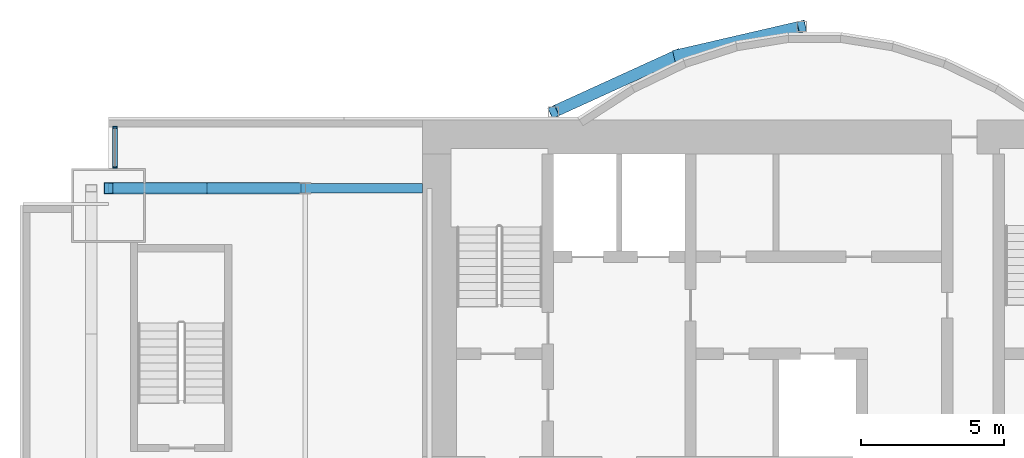
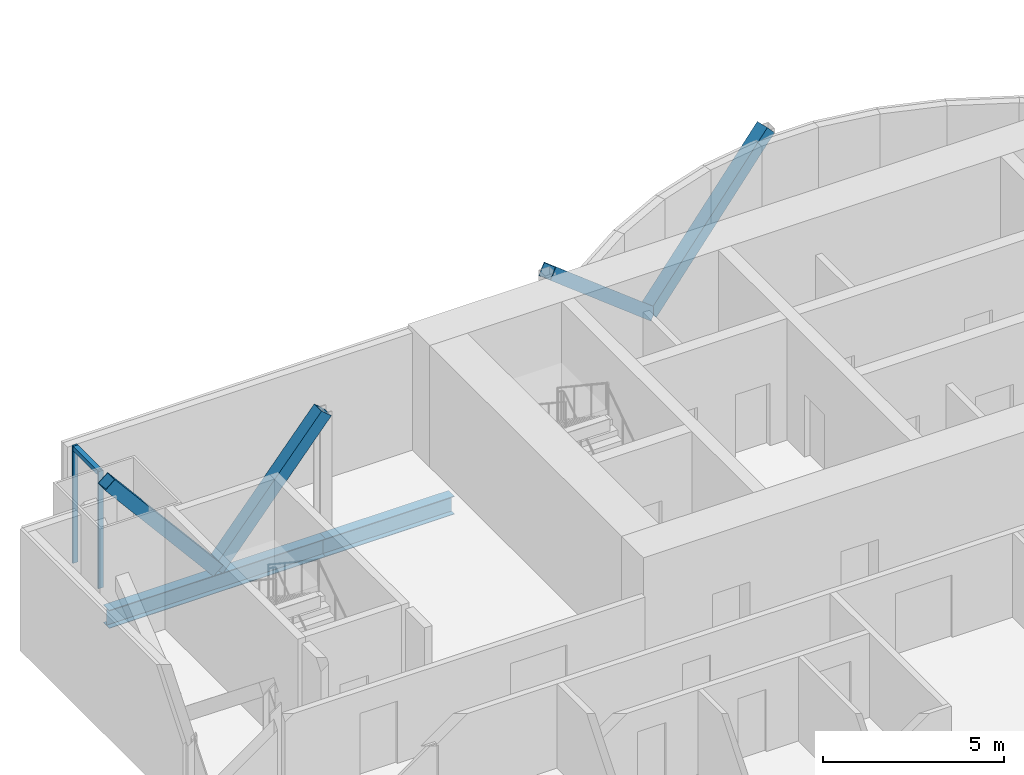
# One storey, part 10 of 20: 7 members, 2 beams, 1 element without a shape of its own.
"""IFC4 building model written with IfcOpenShell, lengths in metres."""

import ifcopenshell
import ifcopenshell.guid

model = None  # the IFC model being written
_history = None  # IfcOwnerHistory: only IFC2X3 demands one
_inside = {}  # id of a spatial element -> (the spatial element, [elements in it])
_under = {}  # id of a project, library or spatial element -> (it, [spatial elements below it])
_declared = {}  # id of a project -> (the project, [libraries it declares])
_typed = {}  # id of a type object -> (the type object, [elements of that type])
_made_of = {}  # id of a material, layer set ... -> (it, [elements and type objects made of it])


def new_model(schema):
    """Start an empty IFC model of exactly this schema.

    Asked for "IFC4X3", IfcOpenShell would pick the latest addendum, in which some entities
    have other attributes; the version numbers below select the first issue.
    IFC2X3 requires an IfcOwnerHistory on every rooted entity: one is made here for all.
    """
    global model, _history
    if schema == "IFC4X3":
        model = ifcopenshell.file(schema_version=(4, 3, 0, 0))
    else:
        model = ifcopenshell.file(schema=schema)
    _inside.clear()
    _under.clear()
    _declared.clear()
    _typed.clear()
    _made_of.clear()
    _history = None
    if model.schema == "IFC2X3":
        org = make("IfcOrganization", Name="unknown")
        user = make(
            "IfcPersonAndOrganization",
            ThePerson=make("IfcPerson", FamilyName="unknown"),
            TheOrganization=org,
        )
        app = make(
            "IfcApplication",
            ApplicationDeveloper=org,
            Version="unknown",
            ApplicationFullName="unknown",
            ApplicationIdentifier="unknown",
        )
        _history = make(
            "IfcOwnerHistory",
            OwningUser=user,
            OwningApplication=app,
            ChangeAction="ADDED",
            CreationDate=0,
        )
    return model


def make(cls, **values):
    """One entity of the class cls with the attributes given. An attribute that is None is left unset."""
    return model.create_entity(
        cls, **{name: value for name, value in values.items() if value is not None}
    )


def rooted(cls, **values):
    """An entity with a GlobalId (a new one), such as an element, a storey or a relation."""
    return make(cls, GlobalId=ifcopenshell.guid.new(), OwnerHistory=_history, **values)


def si_unit(unit_type, name, prefix=None):
    """IfcSIUnit, for example si_unit("LENGTHUNIT", "METRE", prefix="MILLI")."""
    return make("IfcSIUnit", UnitType=unit_type, Prefix=prefix, Name=name)


def assignment(units):
    """IfcUnitAssignment: the units of a project."""
    return None if units is None else make("IfcUnitAssignment", Units=units)


def point(xyz):
    """IfcCartesianPoint."""
    return None if xyz is None else make("IfcCartesianPoint", Coordinates=xyz)


def direction(xyz):
    """IfcDirection."""
    return None if xyz is None else make("IfcDirection", DirectionRatios=xyz)


def frame(location, z_axis=None, x_axis=None):
    """IfcAxis2Placement3D, a coordinate frame: its origin and axes. An axis left out is left unset."""
    return make(
        "IfcAxis2Placement3D",
        Location=point(location),
        Axis=direction(z_axis),
        RefDirection=direction(x_axis),
    )


def frame_2d(location, x_axis=None):
    """IfcAxis2Placement2D, a coordinate frame in the plane: its origin and x axis."""
    return make(
        "IfcAxis2Placement2D", Location=point(location), RefDirection=direction(x_axis)
    )


def origin():
    """The frame at (0, 0, 0) with its axes left unset."""
    return frame((0.0, 0.0, 0.0))


def origin_2d():
    """The frame at (0, 0) in the plane with its x axis left unset."""
    return frame_2d((0.0, 0.0))


def place(relative_to, where):
    """IfcLocalPlacement: puts the frame where relative to a parent placement (None: the world)."""
    return make(
        "IfcLocalPlacement", PlacementRelTo=relative_to, RelativePlacement=where
    )


def context(
    kind, dimensions, precision=None, world=None, true_north=None, identifier=None
):
    """IfcGeometricRepresentationContext, for example the 3D "Model" context."""
    return make(
        "IfcGeometricRepresentationContext",
        ContextIdentifier=identifier,
        ContextType=kind,
        CoordinateSpaceDimension=dimensions,
        Precision=precision,
        WorldCoordinateSystem=world,
        TrueNorth=true_north,
    )


def subcontext(parent, identifier, kind, view, scale=None):
    """IfcGeometricRepresentationSubContext, for example "Body" below "Model"."""
    return make(
        "IfcGeometricRepresentationSubContext",
        ContextIdentifier=identifier,
        ContextType=kind,
        ParentContext=parent,
        TargetScale=scale,
        TargetView=view,
    )


def project(units=None, contexts=None):
    """IfcProject with its units and contexts."""
    return rooted(
        "IfcProject",
        Name="project",
        RepresentationContexts=contexts,
        UnitsInContext=assignment(units),
    )


def spatial(cls, under=None, at=None, **own):
    """A site, building, storey or space (cls), placed at a placement, below another one or the project."""
    s = rooted(cls, ObjectPlacement=at, **own)
    if under is not None:
        _under.setdefault(under.id(), (under, []))[1].append(s)
    return s


def profile(cls, at=None, kind="AREA", **sizes):
    """A parametric profile (cls). Its sizes go by their IFC names, for example OverallWidth=200.0."""
    return make(cls, ProfileType=kind, Position=at, **sizes)


def rectangle(**sizes):
    """IfcRectangleProfileDef."""
    return profile("IfcRectangleProfileDef", **sizes)


def hollow_rectangle(**sizes):
    """IfcRectangleHollowProfileDef."""
    return profile("IfcRectangleHollowProfileDef", **sizes)


def i_section(**sizes):
    """IfcIShapeProfileDef."""
    return profile("IfcIShapeProfileDef", **sizes)


def extrude(swept, where, along, depth):
    """IfcExtrudedAreaSolid: the profile swept, set in the frame where, extruded along a direction by depth."""
    return make(
        "IfcExtrudedAreaSolid",
        SweptArea=swept,
        Position=where,
        ExtrudedDirection=direction(along),
        Depth=depth,
    )


def shape(context_of_items, identifier, shape_type, items):
    """IfcShapeRepresentation: the items that make up one representation, for example the "Body"."""
    return make(
        "IfcShapeRepresentation",
        ContextOfItems=context_of_items,
        RepresentationIdentifier=identifier,
        RepresentationType=shape_type,
        Items=items,
    )


def material(Name=None, Category=None):
    """IfcMaterial."""
    return make("IfcMaterial", Name=Name, Category=Category)


def material_profile(
    of_material, cross_section, Name=None, Category=None, Priority=None
):
    """IfcMaterialProfile: a cross section and its material."""
    return make(
        "IfcMaterialProfile",
        Name=Name,
        Material=of_material,
        Profile=cross_section,
        Priority=Priority,
        Category=Category,
    )


def profile_set(profiles, Name=None, composite=None):
    """IfcMaterialProfileSet."""
    return make(
        "IfcMaterialProfileSet",
        Name=Name,
        MaterialProfiles=profiles,
        CompositeProfile=composite,
    )


def made_of(thing, what):
    """Note that an element or type object is made of a material, layer set ...; save() writes the relation."""
    if what is not None:
        _made_of.setdefault(what.id(), (what, []))[1].append(thing)
    return thing


def type_object(cls, material=None, **own):
    """A type object (cls), such as IfcWallType, which elements share."""
    return made_of(rooted(cls, **own), material)


def element(
    cls,
    number,
    at=None,
    inside=None,
    cuts=None,
    type_object=None,
    material=None,
    context=None,
    identifier="Body",
    shape_type=None,
    held_by="IfcProductDefinitionShape",
    body=None,
    shapes=None,
    **own,
):
    """One element of the class cls, such as IfcWall. Its Tag is "e" and its number.

    at: its placement. inside: the storey or other place that contains it. cuts: it is an
    opening in that element (IfcRelVoidsElement). A single representation is given by context,
    identifier, shape_type and body (its items); several are given by shapes. held_by: the class
    of the entity that holds the representations. save() writes the other relations.
    """
    e = rooted(cls, Tag="e%d" % number, ObjectPlacement=at, **own)
    if body is not None:
        shapes = [shape(context, identifier, shape_type, body)]
    if shapes is not None:
        e.Representation = make(held_by, Representations=shapes)
    if inside is not None:
        _inside.setdefault(inside.id(), (inside, []))[1].append(e)
    if cuts is not None:
        rooted(
            "IfcRelVoidsElement", RelatingBuildingElement=cuts, RelatedOpeningElement=e
        )
    if type_object is not None:
        _typed.setdefault(type_object.id(), (type_object, []))[1].append(e)
    return made_of(e, material)


def aggregate(whole, parts):
    """IfcRelAggregates: a whole, such as a stair, and the parts it consists of."""
    return rooted("IfcRelAggregates", RelatingObject=whole, RelatedObjects=parts)


def save(model, path):
    """Write the relations noted so far, then the file.

    IfcRelAggregates (storeys below a building ...), IfcRelContainedInSpatialStructure (elements
    in a storey), IfcRelDefinesByType, IfcRelAssociatesMaterial and IfcRelDeclares: one each for
    every whole, place, type object, material and project.
    """
    for whole, parts in _under.values():
        aggregate(whole, parts)
    for where, things in _inside.values():
        rooted(
            "IfcRelContainedInSpatialStructure",
            RelatedElements=things,
            RelatingStructure=where,
        )
    for kind, things in _typed.values():
        rooted("IfcRelDefinesByType", RelatedObjects=things, RelatingType=kind)
    for what, things in _made_of.values():
        rooted("IfcRelAssociatesMaterial", RelatedObjects=things, RelatingMaterial=what)
    for by, libraries in _declared.values():
        rooted("IfcRelDeclares", RelatingContext=by, RelatedDefinitions=libraries)
    model.write(path)


model = new_model("IFC4")

# Units and contexts
model_context = context("Model", 3, precision=1e-05, world=origin(), true_north=direction((0.0, 1.0)))
body_context = subcontext(model_context, "Body", "Model", "MODEL_VIEW")
ifc_project = project(units=[si_unit("LENGTHUNIT", "METRE"), si_unit("AREAUNIT", "SQUARE_METRE"), si_unit("VOLUMEUNIT", "CUBIC_METRE"), si_unit("PLANEANGLEUNIT", "RADIAN"), si_unit("MASSUNIT", "GRAM", prefix="KILO")], contexts=[model_context])

# Site, building, storey
site_placement = place(None, origin())
site = spatial("IfcSite", under=ifc_project, at=site_placement, CompositionType="ELEMENT")
building_placement = place(site_placement, origin())
building = spatial("IfcBuilding", under=site, at=building_placement, Name="Bicima Exchange Tower", CompositionType="ELEMENT")
storey_placement = place(building_placement, frame((0.0, 0.0, 207.300048828125)))
storey = spatial("IfcBuildingStorey", under=building, at=storey_placement, Name="L46", CompositionType="ELEMENT", Elevation=207.300048828125)

# Curtain wall, members
ifc_material_1 = material(Name="Anodised bronze aluminium", Category="aluminium")
curtain_wall_type = type_object("IfcCurtainWallType", Name="Front glass wall", PredefinedType="NOTDEFINED", material=ifc_material_1)
curtain_wall_placement = place(storey_placement, origin())
curtain_wall = element("IfcCurtainWall", 1, at=curtain_wall_placement, inside=storey, type_object=curtain_wall_type, Name="Front glass wall L46 run 1", PredefinedType="NOTDEFINED")
ifc_material_profile_1 = material_profile(ifc_material_1, rectangle(XDim=0.159912109375, YDim=0.06005859375, at=origin_2d()))
ifc_profile_set_1 = profile_set([ifc_material_profile_1], Name="Anodised bronze aluminium")
member_type_1 = type_object("IfcMemberType", Name="Front glass wall mullion 60 x 160", PredefinedType="MULLION", material=ifc_profile_set_1)
member_1_placement = place(storey_placement, frame((-32.77001953125, -0.260009765625, 0.0), z_axis=(0.0, 0.0, 1.0), x_axis=(1.0, 0.0, 0.0)))
member_1 = element("IfcMember", 2, at=member_1_placement, type_object=member_type_1, Name="Front glass wall mullion 1", PredefinedType="MULLION", context=body_context, shape_type="SweptSolid", body=[
    extrude(rectangle(XDim=0.159912109375, YDim=0.06005859375, at=origin_2d()), origin(), (0.0, 0.0, 1.0), 3.949951171875),
])
member_2_placement = place(storey_placement, frame((-32.77001953125, -1.669921875, 0.0), z_axis=(0.0, 0.0, 1.0), x_axis=(1.0, 0.0, 0.0)))
member_2 = element("IfcMember", 3, at=member_2_placement, type_object=member_type_1, Name="Front glass wall mullion 2", PredefinedType="MULLION", context=body_context, shape_type="SweptSolid", body=[
    extrude(rectangle(XDim=0.159912109375, YDim=0.06005859375, at=origin_2d()), origin(), (0.0, 0.0, 1.0), 3.949951171875),
])
ifc_material_profile_2 = material_profile(ifc_material_1, rectangle(XDim=0.159912109375, YDim=0.139892578125, at=origin_2d()))
ifc_profile_set_2 = profile_set([ifc_material_profile_2], Name="Anodised bronze aluminium")
member_type_2 = type_object("IfcMemberType", Name="Front glass wall transom 140 x 160", PredefinedType="USERDEFINED", material=ifc_profile_set_2)
member_3_placement = place(storey_placement, frame((-32.77001953125, -0.2900390625, 3.8798828125), z_axis=(0.0, -1.0, 0.0), x_axis=(1.0, 0.0, 0.0)))
member_3 = element("IfcMember", 4, at=member_3_placement, type_object=member_type_2, Name="Front glass wall transom 1.1", ObjectType="TRANSOM", PredefinedType="USERDEFINED", context=body_context, shape_type="SweptSolid", body=[
    extrude(rectangle(XDim=0.159912109375, YDim=0.139892578125, at=origin_2d()), origin(), (0.0, 0.0, 1.0), 1.349853515625),
])
aggregate(curtain_wall, [member_1, member_2, member_3])

# Members
ifc_material_2 = material(Name="Steel ASTM A572 Gr 50", Category="steel")
ifc_material_profile_3 = material_profile(ifc_material_2, hollow_rectangle(XDim=0.406494140625, YDim=0.406494140625, WallThickness=0.0146484375, at=origin_2d()))
ifc_profile_set_3 = profile_set([ifc_material_profile_3], Name="Steel ASTM A572 Gr 50")
member_type_3 = type_object("IfcMemberType", Name="Mega brace HSS16x16x5/8", PredefinedType="BRACE", material=ifc_profile_set_3)
member_4_placement = place(storey_placement, frame((-13.050048828125, 2.262451171875, 0.0), z_axis=(0.717625168184, 0.166055032463, 0.676342993002), x_axis=(-0.225438503722, 0.974257399787, 0.0)))
element("IfcMember", 5, at=member_4_placement, inside=storey, type_object=member_type_3, Name="Mega brace rexo", PredefinedType="BRACE", context=body_context, shape_type="SweptSolid", body=[
    extrude(hollow_rectangle(XDim=0.406494140625, YDim=0.406494140625, WallThickness=0.0146484375, at=origin_2d()), origin(), (0.0, 0.0, 1.0), 6.061767578125),
])
member_5_placement = place(storey_placement, frame((-13.050048828125, 2.262451171875, 0.0), z_axis=(-0.690646390594, -0.3150684101, 0.650952732629), x_axis=(0.415045223819, -0.909800781592, 0.0)))
element("IfcMember", 6, at=member_5_placement, inside=storey, type_object=member_type_3, Name="Mega brace rexo", PredefinedType="BRACE", context=body_context, shape_type="SweptSolid", body=[
    extrude(hollow_rectangle(XDim=0.406494140625, YDim=0.406494140625, WallThickness=0.0146484375, at=origin_2d()), origin(), (0.0, 0.0, 1.0), 6.29833984375),
])
for number, where, z_axis, x_axis, name in (
    (7, (-29.550048828125, -2.39990234375, 0.0), (0.643856488545, 0.0, 0.765146275008), (0.0, 1.0, 0.0), "Mega brace rear"),
    (8, (-29.550048828125, -2.39990234375, 0.0), (-0.643856488545, 0.0, 0.765146275008), (0.0, -1.0, 0.0), "Mega brace rear"),
):
    element("IfcMember", number, at=place(storey_placement, frame(where, z_axis=z_axis, x_axis=x_axis)), inside=storey, type_object=member_type_3, Name=name, PredefinedType="BRACE", context=body_context, shape_type="SweptSolid", body=[
        extrude(hollow_rectangle(XDim=0.406494140625, YDim=0.406494140625, WallThickness=0.0146484375, at=origin_2d()), origin(), (0.0, 0.0, 1.0), 5.358154296875),
    ])

# Beams
ifc_material_3 = material(Name="Steel ASTM A992 Gr 50", Category="steel")
ifc_material_profile_4 = material_profile(ifc_material_3, i_section(OverallWidth=0.3251953125, OverallDepth=0.612060546875, WebThickness=0.0126953125, FlangeThickness=0.01904296875, at=origin_2d()))
ifc_profile_set_4 = profile_set([ifc_material_profile_4], Name="Steel ASTM A992 Gr 50")
beam_type = type_object("IfcBeamType", Name="Rear girder W24x104", PredefinedType="BEAM", material=ifc_profile_set_4)
beam_1_placement = place(storey_placement, frame((-22.0, -2.39990234375, -0.4560546875), z_axis=(-1.0, 0.0, 0.0), x_axis=(0.0, -1.0, 0.0)))
element("IfcBeam", 9, at=beam_1_placement, inside=storey, type_object=beam_type, Name="Rear girder", PredefinedType="BEAM", context=body_context, shape_type="SweptSolid", body=[
    extrude(i_section(OverallWidth=0.3251953125, OverallDepth=0.612060546875, WebThickness=0.0126953125, FlangeThickness=0.01904296875, at=origin_2d()), origin(), (0.0, 0.0, 1.0), 4.10009765625),
])
beam_2_placement = place(storey_placement, frame((-26.10009765625, -2.39990234375, -0.4560546875), z_axis=(-1.0, 0.0, 0.0), x_axis=(0.0, -1.0, 0.0)))
element("IfcBeam", 10, at=beam_2_placement, inside=storey, type_object=beam_type, Name="Rear girder", PredefinedType="BEAM", context=body_context, shape_type="SweptSolid", body=[
    extrude(i_section(OverallWidth=0.3251953125, OverallDepth=0.612060546875, WebThickness=0.0126953125, FlangeThickness=0.01904296875, at=origin_2d()), origin(), (0.0, 0.0, 1.0), 6.89990234375),
])

save(model, "model.ifc")
